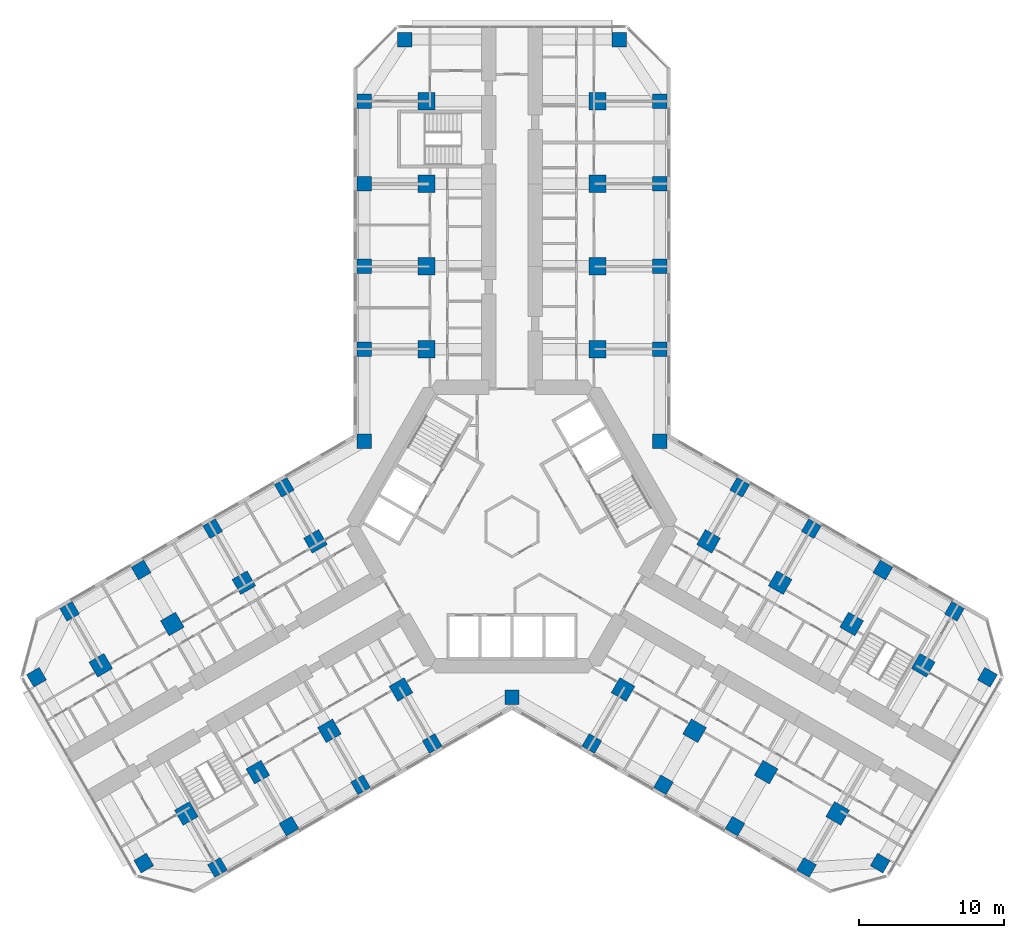
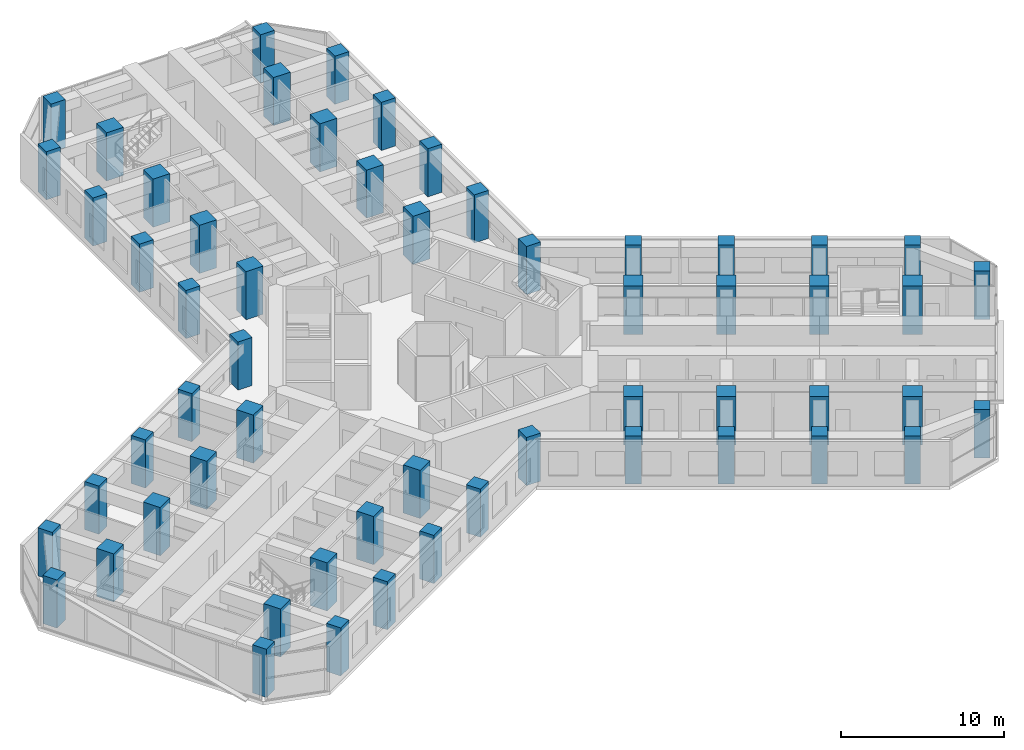
# One storey, part 1 of 21: 57 columns.
"""IFC4 building model written with IfcOpenShell, lengths in metres."""

from ifc_helpers import new_model, si_unit, direction, frame, origin, origin_2d, place, context, subcontext, project, spatial, rectangle, extrude, material, material_profile, profile_set, type_object, element, save


model = new_model("IFC4")

# Units and contexts
model_context = context("Model", 3, precision=1e-05, world=origin(), true_north=direction((0.0, 1.0)))
body_context = subcontext(model_context, "Body", "Model", "MODEL_VIEW")
ifc_project = project(units=[si_unit("LENGTHUNIT", "METRE"), si_unit("AREAUNIT", "SQUARE_METRE"), si_unit("VOLUMEUNIT", "CUBIC_METRE"), si_unit("PLANEANGLEUNIT", "RADIAN"), si_unit("MASSUNIT", "GRAM", prefix="KILO")], contexts=[model_context])

# Site, building, storey
site_placement = place(None, origin())
site = spatial("IfcSite", under=ifc_project, at=site_placement, CompositionType="ELEMENT")
building_placement = place(site_placement, origin())
building = spatial("IfcBuilding", under=site, at=building_placement, Name="Kosmar Iwan School Tower", CompositionType="ELEMENT")
storey_placement = place(building_placement, frame((0.0, 0.0, 71.800048828125)))
storey = spatial("IfcBuildingStorey", under=building, at=storey_placement, Name="L17", CompositionType="ELEMENT", Elevation=71.800048828125)

# Columns
ifc_material_1 = material(Name="Concrete C50/60", Category="concrete")
ifc_material_profile_1 = material_profile(ifc_material_1, rectangle(XDim=1.0, YDim=1.0, at=origin_2d()), Name="RC 1000x1000 + HD 400x677")
ifc_profile_set_1 = profile_set([ifc_material_profile_1], Name="Concrete C50/60")
column_type_1 = type_object("IfcColumnType", Name="Composite column 1000x1000 HD 400x677", PredefinedType="COLUMN", material=ifc_profile_set_1)
for number, where, z_axis, x_axis, name in (
    (1, (-10.199951171875, 12.25, 0.0), (0.0, 0.0, 1.0), (0.0, 1.0, 0.0), "Column AL1 L17"),
    (2, (-10.199951171875, 17.949951171875, 0.0), (0.0, 0.0, 1.0), (0.0, 1.0, 0.0), "Column AL2 L17"),
    (3, (-10.199951171875, 23.64990234375, 0.0), (0.0, 0.0, 1.0), (0.0, 1.0, 0.0), "Column AL3 L17"),
    (4, (-10.199951171875, 29.35009765625, 0.0), (0.0, 0.0, 1.0), (0.0, 1.0, 0.0), "Column AL4 L17"),
    (5, (-7.39990234375, 33.60009765625, 0.0), (0.0, 0.0, 1.0), (0.0, 1.0, 0.0), "Column ALTIP L17"),
    (6, (10.199951171875, 12.25, 0.0), (0.0, 0.0, 1.0), (0.0, 1.0, 0.0), "Column AR1 L17"),
    (7, (10.199951171875, 17.949951171875, 0.0), (0.0, 0.0, 1.0), (0.0, 1.0, 0.0), "Column AR2 L17"),
    (8, (10.199951171875, 23.64990234375, 0.0), (0.0, 0.0, 1.0), (0.0, 1.0, 0.0), "Column AR3 L17"),
    (9, (10.199951171875, 29.35009765625, 0.0), (0.0, 0.0, 1.0), (0.0, 1.0, 0.0), "Column AR4 L17"),
    (10, (7.39990234375, 33.60009765625, 0.0), (0.0, 0.0, 1.0), (0.0, 1.0, 0.0), "Column ARTIP L17"),
    (11, (-5.5087890625, -14.95849609375, 0.0), (0.0, 0.0, 1.0), (-0.866025403784, -0.5, 0.0), "Column BL1 L17"),
    (12, (-10.445068359375, -17.808349609375, 0.0), (0.0, 0.0, 1.0), (-0.866025403784, -0.5, 0.0), "Column BL2 L17"),
    (13, (-15.381591796875, -20.658447265625, 0.0), (0.0, 0.0, 1.0), (-0.866025403784, -0.5, 0.0), "Column BL3 L17"),
    (14, (-20.31787109375, -23.508544921875, 0.0), (0.0, 0.0, 1.0), (-0.866025403784, -0.5, 0.0), "Column BL4 L17"),
    (15, (-25.3984375, -23.20849609375, 0.0), (0.0, 0.0, 1.0), (-0.866025403784, -0.5, 0.0), "Column BLTIP L17"),
    (16, (-15.708740234375, 2.70849609375, 0.0), (0.0, 0.0, 1.0), (-0.866025403784, -0.5, 0.0), "Column BR1 L17"),
    (17, (-20.645263671875, -0.1416015625, 0.0), (0.0, 0.0, 1.0), (-0.866025403784, -0.5, 0.0), "Column BR2 L17"),
    (18, (-25.58154296875, -2.991455078125, 0.0), (0.0, 0.0, 1.0), (-0.866025403784, -0.5, 0.0), "Column BR3 L17"),
    (19, (-30.517822265625, -5.841552734375, 0.0), (0.0, 0.0, 1.0), (-0.866025403784, -0.5, 0.0), "Column BR4 L17"),
    (20, (-32.79833984375, -10.391357421875, 0.0), (0.0, 0.0, 1.0), (-0.866025403784, -0.5, 0.0), "Column BRTIP L17"),
    (21, (15.708740234375, 2.70849609375, 0.0), (0.0, 0.0, 1.0), (0.866025403784, -0.5, 0.0), "Column CL1 L17"),
    (22, (20.645263671875, -0.1416015625, 0.0), (0.0, 0.0, 1.0), (0.866025403784, -0.5, 0.0), "Column CL2 L17"),
    (23, (25.58154296875, -2.991455078125, 0.0), (0.0, 0.0, 1.0), (0.866025403784, -0.5, 0.0), "Column CL3 L17"),
    (24, (30.517822265625, -5.841552734375, 0.0), (0.0, 0.0, 1.0), (0.866025403784, -0.5, 0.0), "Column CL4 L17"),
    (25, (32.79833984375, -10.391357421875, 0.0), (0.0, 0.0, 1.0), (0.866025403784, -0.5, 0.0), "Column CLTIP L17"),
    (26, (5.5087890625, -14.95849609375, 0.0), (0.0, 0.0, 1.0), (0.866025403784, -0.5, 0.0), "Column CR1 L17"),
    (27, (10.445068359375, -17.808349609375, 0.0), (0.0, 0.0, 1.0), (0.866025403784, -0.5, 0.0), "Column CR2 L17"),
    (28, (15.381591796875, -20.658447265625, 0.0), (0.0, 0.0, 1.0), (0.866025403784, -0.5, 0.0), "Column CR3 L17"),
    (29, (20.31787109375, -23.508544921875, 0.0), (0.0, 0.0, 1.0), (0.866025403784, -0.5, 0.0), "Column CR4 L17"),
    (30, (25.3984375, -23.20849609375, 0.0), (0.0, 0.0, 1.0), (0.866025403784, -0.5, 0.0), "Column CRTIP L17"),
    (31, (-10.199951171875, 5.888916015625, 0.0), (0.0, 0.0, 1.0), (1.0, 0.0, 0.0), "Column RAB L17"),
    (32, (10.199951171875, 5.888916015625, 0.0), (0.0, 0.0, 1.0), (1.0, 0.0, 0.0), "Column RAC L17"),
    (33, (0.0, -11.77783203125, 0.0), (0.0, 0.0, 1.0), (1.0, 0.0, 0.0), "Column RBC L17"),
):
    element("IfcColumn", number, at=place(storey_placement, frame(where, z_axis=z_axis, x_axis=x_axis)), inside=storey, type_object=column_type_1, Name=name, PredefinedType="COLUMN", context=body_context, shape_type="SweptSolid", body=[
        extrude(rectangle(XDim=1.0, YDim=1.0, at=origin_2d()), origin(), (0.0, 0.0, 1.0), 3.599853515625),
    ])
ifc_material_2 = material(Name="Concrete C50/60", Category="concrete")
ifc_material_profile_2 = material_profile(ifc_material_2, rectangle(XDim=1.199951171875, YDim=1.199951171875, at=origin_2d()), Name="RC 1200x1200")
ifc_profile_set_2 = profile_set([ifc_material_profile_2], Name="Concrete C50/60")
column_type_2 = type_object("IfcColumnType", Name="RC interior column 1200x1200", PredefinedType="COLUMN", material=ifc_profile_set_2)
for number, where, z_axis, x_axis, name in (
    (34, (-5.89990234375, 12.25, 0.0), (0.0, 0.0, 1.0), (0.0, 1.0, 0.0), "Interior column ALI1 L17"),
    (35, (-5.89990234375, 17.949951171875, 0.0), (0.0, 0.0, 1.0), (0.0, 1.0, 0.0), "Interior column ALI2 L17"),
    (36, (-5.89990234375, 23.64990234375, 0.0), (0.0, 0.0, 1.0), (0.0, 1.0, 0.0), "Interior column ALI3 L17"),
    (37, (-5.89990234375, 29.35009765625, 0.0), (0.0, 0.0, 1.0), (0.0, 1.0, 0.0), "Interior column ALI4 L17"),
    (38, (5.89990234375, 12.25, 0.0), (0.0, 0.0, 1.0), (0.0, 1.0, 0.0), "Interior column ARI1 L17"),
    (39, (5.89990234375, 17.949951171875, 0.0), (0.0, 0.0, 1.0), (0.0, 1.0, 0.0), "Interior column ARI2 L17"),
    (40, (5.89990234375, 23.64990234375, 0.0), (0.0, 0.0, 1.0), (0.0, 1.0, 0.0), "Interior column ARI3 L17"),
    (41, (5.89990234375, 29.35009765625, 0.0), (0.0, 0.0, 1.0), (0.0, 1.0, 0.0), "Interior column ARI4 L17"),
    (42, (-7.65869140625, -11.234619140625, 0.0), (0.0, 0.0, 1.0), (-0.866025403784, -0.5, 0.0), "Interior column BLI1 L17"),
    (43, (-12.59521484375, -14.08447265625, 0.0), (0.0, 0.0, 1.0), (-0.866025403784, -0.5, 0.0), "Interior column BLI2 L17"),
    (44, (-17.531494140625, -16.9345703125, 0.0), (0.0, 0.0, 1.0), (-0.866025403784, -0.5, 0.0), "Interior column BLI3 L17"),
    (45, (-22.4677734375, -19.78466796875, 0.0), (0.0, 0.0, 1.0), (-0.866025403784, -0.5, 0.0), "Interior column BLI4 L17"),
    (46, (-13.558837890625, -1.015380859375, 0.0), (0.0, 0.0, 1.0), (-0.866025403784, -0.5, 0.0), "Interior column BRI1 L17"),
    (47, (-18.4951171875, -3.865478515625, 0.0), (0.0, 0.0, 1.0), (-0.866025403784, -0.5, 0.0), "Interior column BRI2 L17"),
    (48, (-23.431396484375, -6.71533203125, 0.0), (0.0, 0.0, 1.0), (-0.866025403784, -0.5, 0.0), "Interior column BRI3 L17"),
    (49, (-28.367919921875, -9.5654296875, 0.0), (0.0, 0.0, 1.0), (-0.866025403784, -0.5, 0.0), "Interior column BRI4 L17"),
    (50, (13.558837890625, -1.015380859375, 0.0), (0.0, 0.0, 1.0), (0.866025403784, -0.5, 0.0), "Interior column CLI1 L17"),
    (51, (18.4951171875, -3.865478515625, 0.0), (0.0, 0.0, 1.0), (0.866025403784, -0.5, 0.0), "Interior column CLI2 L17"),
    (52, (23.431396484375, -6.71533203125, 0.0), (0.0, 0.0, 1.0), (0.866025403784, -0.5, 0.0), "Interior column CLI3 L17"),
    (53, (28.367919921875, -9.5654296875, 0.0), (0.0, 0.0, 1.0), (0.866025403784, -0.5, 0.0), "Interior column CLI4 L17"),
    (54, (7.65869140625, -11.234619140625, 0.0), (0.0, 0.0, 1.0), (0.866025403784, -0.5, 0.0), "Interior column CRI1 L17"),
    (55, (12.59521484375, -14.08447265625, 0.0), (0.0, 0.0, 1.0), (0.866025403784, -0.5, 0.0), "Interior column CRI2 L17"),
    (56, (17.531494140625, -16.9345703125, 0.0), (0.0, 0.0, 1.0), (0.866025403784, -0.5, 0.0), "Interior column CRI3 L17"),
    (57, (22.4677734375, -19.78466796875, 0.0), (0.0, 0.0, 1.0), (0.866025403784, -0.5, 0.0), "Interior column CRI4 L17"),
):
    element("IfcColumn", number, at=place(storey_placement, frame(where, z_axis=z_axis, x_axis=x_axis)), inside=storey, type_object=column_type_2, Name=name, PredefinedType="COLUMN", context=body_context, shape_type="SweptSolid", body=[
        extrude(rectangle(XDim=1.199951171875, YDim=1.199951171875, at=origin_2d()), origin(), (0.0, 0.0, 1.0), 3.599853515625),
    ])

save(model, "model.ifc")
